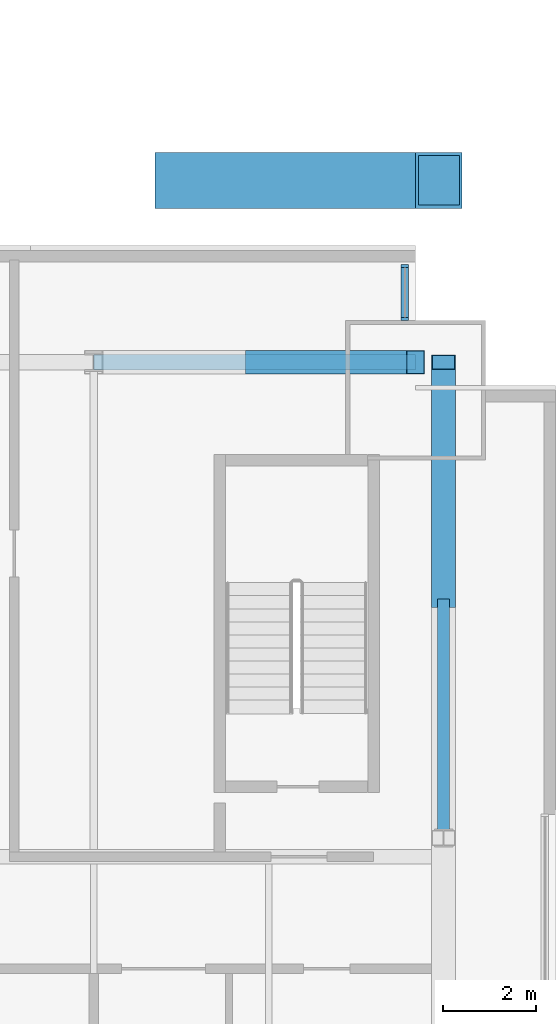
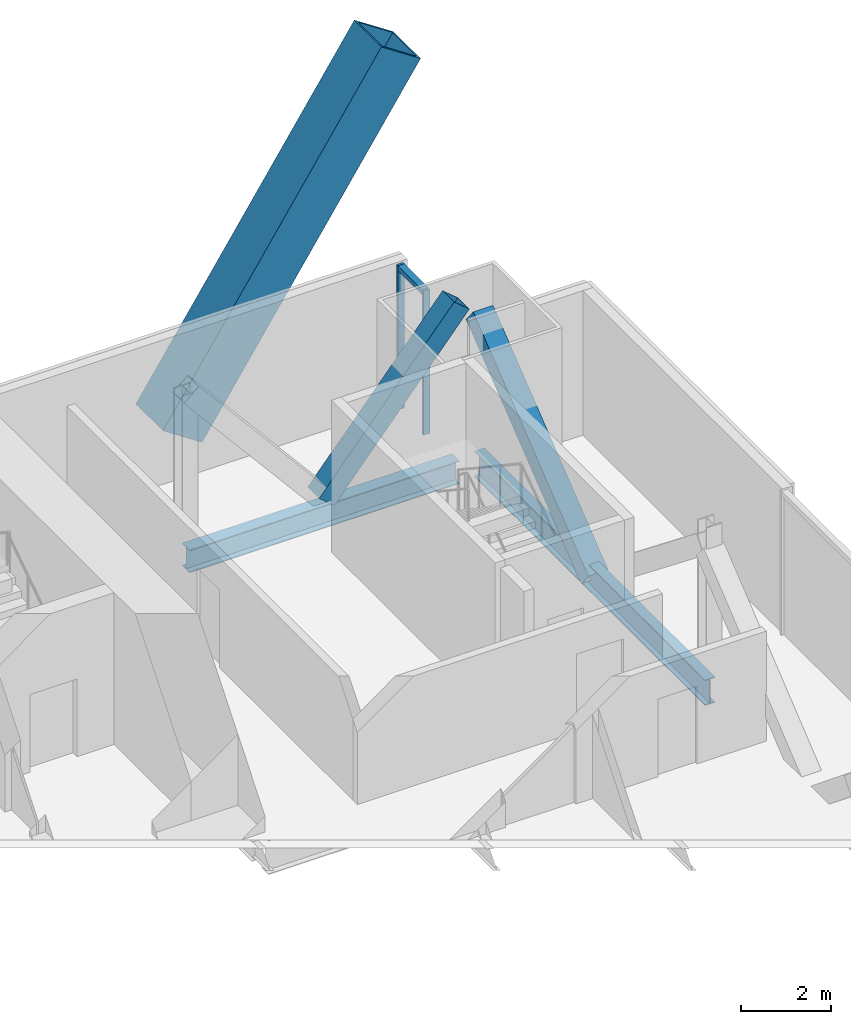
# One storey, part 13 of 21: 6 members, 2 beams, 1 element without a shape of its own.
"""IFC4 building model written with IfcOpenShell, lengths in metres."""

from ifc_helpers import new_model, si_unit, direction, frame, origin, origin_2d, place, context, subcontext, project, spatial, rectangle, hollow_rectangle, i_section, extrude, material, material_profile, profile_set, type_object, element, aggregate, save


model = new_model("IFC4")

# Units and contexts
model_context = context("Model", 3, precision=1e-05, world=origin(), true_north=direction((0.0, 1.0)))
body_context = subcontext(model_context, "Body", "Model", "MODEL_VIEW")
ifc_project = project(units=[si_unit("LENGTHUNIT", "METRE"), si_unit("AREAUNIT", "SQUARE_METRE"), si_unit("VOLUMEUNIT", "CUBIC_METRE"), si_unit("PLANEANGLEUNIT", "RADIAN"), si_unit("MASSUNIT", "GRAM", prefix="KILO")], contexts=[model_context])

# Site, building, storey
site_placement = place(None, origin())
site = spatial("IfcSite", under=ifc_project, at=site_placement, CompositionType="ELEMENT")
building_placement = place(site_placement, origin())
building = spatial("IfcBuilding", under=site, at=building_placement, Name="Bicima Exchange Tower", CompositionType="ELEMENT")
storey_placement = place(building_placement, frame((0.0, 0.0, 130.89990234375)))
storey = spatial("IfcBuildingStorey", under=building, at=storey_placement, Name="L28", CompositionType="ELEMENT", Elevation=130.89990234375)

# Beam
ifc_material_1 = material(Name="Steel ASTM A992 Gr 50", Category="steel")
ifc_material_profile_1 = material_profile(ifc_material_1, i_section(OverallWidth=0.256591796875, OverallDepth=0.693359375, WebThickness=0.014404296875, FlangeThickness=0.023681640625, at=origin_2d()))
ifc_profile_set_1 = profile_set([ifc_material_profile_1], Name="Steel ASTM A992 Gr 50")
beam_type_1 = type_object("IfcBeamType", Name="End girder W27x114", PredefinedType="BEAM", material=ifc_profile_set_1)
beam_1_placement = place(storey_placement, frame((33.60009765625, -2.39990234375, -0.49658203125), z_axis=(0.0, -1.0, 0.0), x_axis=(1.0, 0.0, 0.0)))
element("IfcBeam", 1, at=beam_1_placement, inside=storey, type_object=beam_type_1, Name="End girder", PredefinedType="BEAM", context=body_context, shape_type="SweptSolid", body=[
    extrude(i_section(OverallWidth=0.256591796875, OverallDepth=0.693359375, WebThickness=0.014404296875, FlangeThickness=0.023681640625, at=origin_2d()), origin(), (0.0, 0.0, 1.0), 10.2001953125),
])

# Member
ifc_material_2 = material(Name="Steel ASTM A572 Gr 50", Category="steel")
ifc_material_profile_2 = material_profile(ifc_material_2, hollow_rectangle(XDim=1.199951171875, YDim=1.199951171875, WallThickness=0.070068359375, at=origin_2d()))
ifc_profile_set_2 = profile_set([ifc_material_profile_2], Name="Steel ASTM A572 Gr 50")
member_type_1 = type_object("IfcMemberType", Name="Exo mega brace BOX 1200x1200x70", PredefinedType="BRACE", material=ifc_profile_set_2)
member_1_placement = place(storey_placement, frame((27.916748046875, 1.5, 0.183349609375), z_axis=(0.552785436873, 0.0, 0.833323623079), x_axis=(0.0, 1.0, 0.0)))
element("IfcMember", 2, at=member_1_placement, inside=storey, type_object=member_type_1, Name="Exo mega brace rear", PredefinedType="BRACE", context=body_context, shape_type="SweptSolid", body=[
    extrude(hollow_rectangle(XDim=1.199951171875, YDim=1.199951171875, WallThickness=0.070068359375, at=origin_2d()), origin(), (0.0, 0.0, 1.0), 10.10009765625),
])

# Curtain wall, members
ifc_material_3 = material(Name="Anodised bronze aluminium", Category="aluminium")
curtain_wall_type = type_object("IfcCurtainWallType", Name="Front glass wall", PredefinedType="NOTDEFINED", material=ifc_material_3)
curtain_wall_placement = place(storey_placement, origin())
curtain_wall = element("IfcCurtainWall", 3, at=curtain_wall_placement, inside=storey, type_object=curtain_wall_type, Name="Front glass wall L28 run 20", PredefinedType="NOTDEFINED")
ifc_material_profile_3 = material_profile(ifc_material_3, rectangle(XDim=0.159912109375, YDim=0.06005859375, at=origin_2d()))
ifc_profile_set_3 = profile_set([ifc_material_profile_3], Name="Anodised bronze aluminium")
member_type_2 = type_object("IfcMemberType", Name="Front glass wall mullion 60 x 160", PredefinedType="MULLION", material=ifc_profile_set_3)
member_2_placement = place(storey_placement, frame((32.77001953125, -1.469970703125, 0.0), z_axis=(0.0, 0.0, 1.0), x_axis=(-1.0, 0.0, 0.0)))
member_2 = element("IfcMember", 4, at=member_2_placement, type_object=member_type_2, Name="Front glass wall mullion 1", PredefinedType="MULLION", context=body_context, shape_type="SweptSolid", body=[
    extrude(rectangle(XDim=0.159912109375, YDim=0.06005859375, at=origin_2d()), origin(), (0.0, 0.0, 1.0), 3.900146484375),
])
member_3_placement = place(storey_placement, frame((32.77001953125, -0.340087890625, 0.0), z_axis=(0.0, 0.0, 1.0), x_axis=(-1.0, 0.0, 0.0)))
member_3 = element("IfcMember", 5, at=member_3_placement, type_object=member_type_2, Name="Front glass wall mullion 2", PredefinedType="MULLION", context=body_context, shape_type="SweptSolid", body=[
    extrude(rectangle(XDim=0.159912109375, YDim=0.06005859375, at=origin_2d()), origin(), (0.0, 0.0, 1.0), 3.900146484375),
])
ifc_material_profile_4 = material_profile(ifc_material_3, rectangle(XDim=0.159912109375, YDim=0.139892578125, at=origin_2d()))
ifc_profile_set_4 = profile_set([ifc_material_profile_4], Name="Anodised bronze aluminium")
member_type_3 = type_object("IfcMemberType", Name="Front glass wall transom 140 x 160", PredefinedType="USERDEFINED", material=ifc_profile_set_4)
member_4_placement = place(storey_placement, frame((32.77001953125, -1.43994140625, 3.830078125), z_axis=(0.0, 1.0, 0.0), x_axis=(-1.0, 0.0, 0.0)))
member_4 = element("IfcMember", 6, at=member_4_placement, type_object=member_type_3, Name="Front glass wall transom 1.1", ObjectType="TRANSOM", PredefinedType="USERDEFINED", context=body_context, shape_type="SweptSolid", body=[
    extrude(rectangle(XDim=0.159912109375, YDim=0.139892578125, at=origin_2d()), origin(), (0.0, 0.0, 1.0), 1.06982421875),
])
aggregate(curtain_wall, [member_2, member_3, member_4])

# Members
ifc_material_profile_5 = material_profile(ifc_material_2, hollow_rectangle(XDim=0.508056640625, YDim=0.508056640625, WallThickness=0.0146484375, at=origin_2d()))
ifc_profile_set_5 = profile_set([ifc_material_profile_5], Name="Steel ASTM A572 Gr 50")
member_type_4 = type_object("IfcMemberType", Name="Mega brace HSS20x20x5/8", PredefinedType="BRACE", material=ifc_profile_set_5)
member_5_placement = place(storey_placement, frame((29.550048828125, -2.39990234375, 0.0), z_axis=(0.643834042494, 0.0, 0.765165162384), x_axis=(0.0, 1.0, 0.0)))
element("IfcMember", 7, at=member_5_placement, inside=storey, type_object=member_type_4, Name="Mega brace rear", PredefinedType="BRACE", context=body_context, shape_type="SweptSolid", body=[
    extrude(hollow_rectangle(XDim=0.508056640625, YDim=0.508056640625, WallThickness=0.0146484375, at=origin_2d()), origin(), (0.0, 0.0, 1.0), 5.3583984375),
])
member_6_placement = place(storey_placement, frame((33.60009765625, -7.5, -0.49658203125), z_axis=(0.0, 0.783112995316, 0.621879438932), x_axis=(-1.0, 0.0, 0.0)))
element("IfcMember", 8, at=member_6_placement, inside=storey, type_object=member_type_4, Name="Mega brace east end", PredefinedType="BRACE", context=body_context, shape_type="SweptSolid", body=[
    extrude(hollow_rectangle(XDim=0.508056640625, YDim=0.508056640625, WallThickness=0.0146484375, at=origin_2d()), origin(), (0.0, 0.0, 1.0), 6.5126953125),
])

# Beam
ifc_material_profile_6 = material_profile(ifc_material_1, i_section(OverallWidth=0.3251953125, OverallDepth=0.612060546875, WebThickness=0.0126953125, FlangeThickness=0.01904296875, at=origin_2d()))
ifc_profile_set_6 = profile_set([ifc_material_profile_6], Name="Steel ASTM A992 Gr 50")
beam_type_2 = type_object("IfcBeamType", Name="Rear girder W24x104", PredefinedType="BEAM", material=ifc_profile_set_6)
beam_2_placement = place(storey_placement, frame((26.10009765625, -2.39990234375, -0.4560546875), z_axis=(1.0, 0.0, 0.0), x_axis=(0.0, 1.0, 0.0)))
element("IfcBeam", 9, at=beam_2_placement, inside=storey, type_object=beam_type_2, Name="Rear girder", PredefinedType="BEAM", context=body_context, shape_type="SweptSolid", body=[
    extrude(i_section(OverallWidth=0.3251953125, OverallDepth=0.612060546875, WebThickness=0.0126953125, FlangeThickness=0.01904296875, at=origin_2d()), origin(), (0.0, 0.0, 1.0), 6.89990234375),
])

save(model, "model.ifc")
